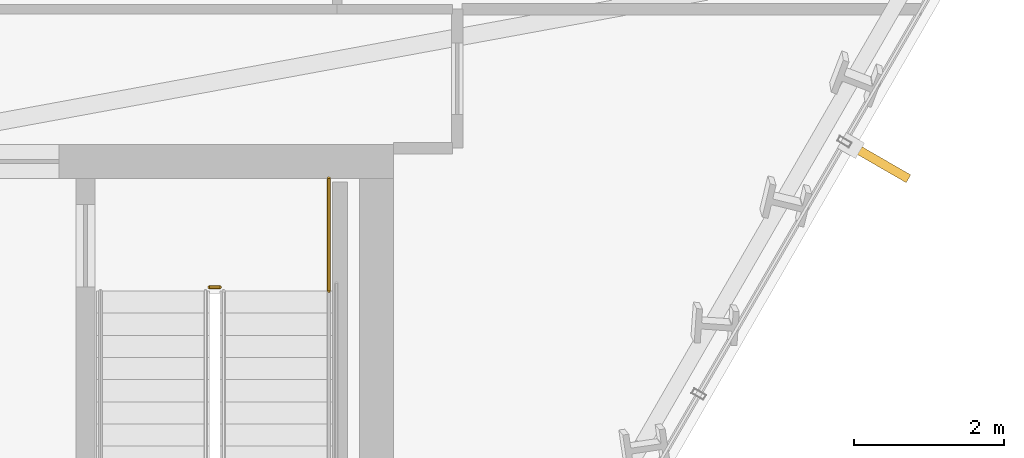
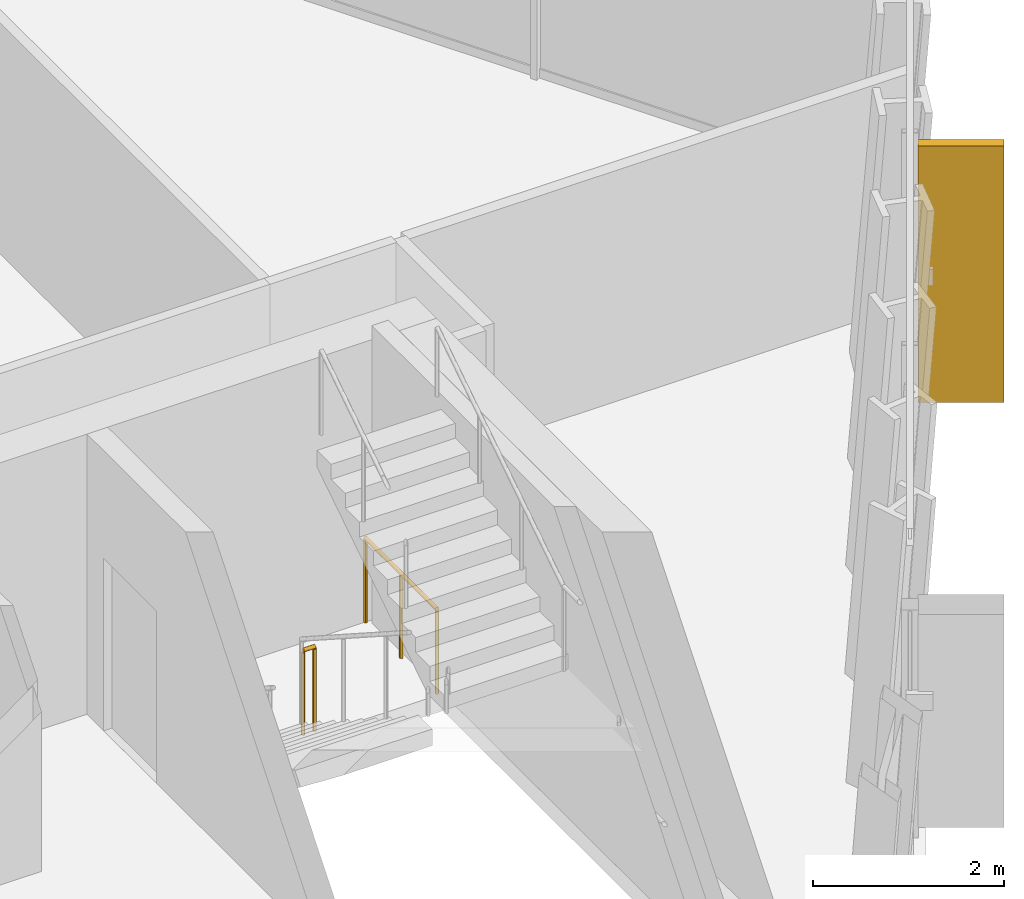
# One storey, part 31 of 32: 2 railings, 1 shading device.
"""IFC4 building model written with IfcOpenShell, lengths in metres."""

from ifc_helpers import new_model, si_unit, direction, frame, origin, origin_2d, place, context, subcontext, project, spatial, rectangle, circle, extrude, material, layer, layer_set, type_object, element, save


model = new_model("IFC4")

# Units and contexts
model_context = context("Model", 3, precision=1e-05, world=origin(), true_north=direction((0.0, 1.0)))
body_context = subcontext(model_context, "Body", "Model", "MODEL_VIEW")
ifc_project = project(units=[si_unit("LENGTHUNIT", "METRE"), si_unit("AREAUNIT", "SQUARE_METRE"), si_unit("VOLUMEUNIT", "CUBIC_METRE"), si_unit("PLANEANGLEUNIT", "RADIAN"), si_unit("MASSUNIT", "GRAM", prefix="KILO")], contexts=[model_context])

# Site, building, storey
site_placement = place(None, origin())
site = spatial("IfcSite", under=ifc_project, at=site_placement, CompositionType="ELEMENT")
building_placement = place(site_placement, origin())
building = spatial("IfcBuilding", under=site, at=building_placement, Name="Ndaravel Arena Tower", CompositionType="ELEMENT")
storey_placement = place(building_placement, frame((0.0, 0.0, 66.39990234375)))
storey = spatial("IfcBuildingStorey", under=building, at=storey_placement, Name="L14", CompositionType="ELEMENT", Elevation=66.39990234375)

# Railings
ifc_material_1 = material(Name="Steel S355", Category="steel")
ifc_layer = layer(ifc_material_1, 0.06005859375)
ifc_layer_set = layer_set([ifc_layer], Name="Steel S355")
railing_type = type_object("IfcRailingType", Name="RAIL-STAIR-GD1100", PredefinedType="GUARDRAIL", material=ifc_layer_set)
railing_1_placement = place(storey_placement, frame((55.10009765625, 13.300048828125, 0.0)))
element("IfcRailing", 1, at=railing_1_placement, inside=storey, type_object=railing_type, Name="L14 ST-3 stair guard 4", PredefinedType="GUARDRAIL", context=body_context, shape_type="SweptSolid", body=[
    extrude(circle(Radius=0.02392578125, at=origin_2d()), frame((0.0, 0.0, 1.076171875), z_axis=(1.0, 0.0, 0.0), x_axis=(0.0, 1.0, 0.0)), (0.0, 0.0, 1.0), 0.139892578125),
    extrude(circle(Radius=0.02099609375, at=origin_2d()), origin(), (0.0, 0.0, 1.0), 1.052001953125),
    extrude(circle(Radius=0.02099609375, at=origin_2d()), frame((0.139892578125, 0.0, 0.0)), (0.0, 0.0, 1.0), 1.052001953125),
])
railing_2_placement = place(storey_placement, frame((56.68994140625, 14.75, 0.0)))
element("IfcRailing", 2, at=railing_2_placement, inside=storey, type_object=railing_type, Name="L14 ST-3 stair guard 5", PredefinedType="GUARDRAIL", context=body_context, shape_type="SweptSolid", body=[
    extrude(circle(Radius=0.02392578125, at=origin_2d()), frame((0.0, 0.0, 1.076171875), z_axis=(0.0, -1.0, 0.0), x_axis=(1.0, 0.0, 0.0)), (0.0, 0.0, 1.0), 1.5),
    extrude(circle(Radius=0.02099609375, at=origin_2d()), origin(), (0.0, 0.0, 1.0), 1.052001953125),
    extrude(circle(Radius=0.02099609375, at=origin_2d()), frame((0.0, -0.75, 0.0)), (0.0, 0.0, 1.0), 1.052001953125),
    extrude(circle(Radius=0.02099609375, at=origin_2d()), frame((0.0, -1.5, 0.0)), (0.0, 0.0, 1.0), 1.052001953125),
])

# Shading device
ifc_material_2 = material(Name="Masonry", Category="masonry")
shading_device_type = type_object("IfcShadingDeviceType", Name="SHD-MAZERAS-FIN", PredefinedType="SHUTTER", material=ifc_material_2)
shading_device_placement = place(storey_placement, frame((64.014404296875, 14.968505859375, 0.14990234375), z_axis=(0.0, 0.0, 1.0), x_axis=(0.866025403784, -0.5, 0.0)))
element("IfcShadingDevice", 3, at=shading_device_placement, inside=storey, type_object=shading_device_type, Name="L14 Mazeras Stone Solar Fin E2.2", PredefinedType="SHUTTER", context=body_context, shape_type="SweptSolid", body=[
    extrude(rectangle(XDim=0.89990234375, YDim=0.1201171875, at=origin_2d()), origin(), (0.0, 0.0, 1.0), 3.280029296875),
])

save(model, "model.ifc")
